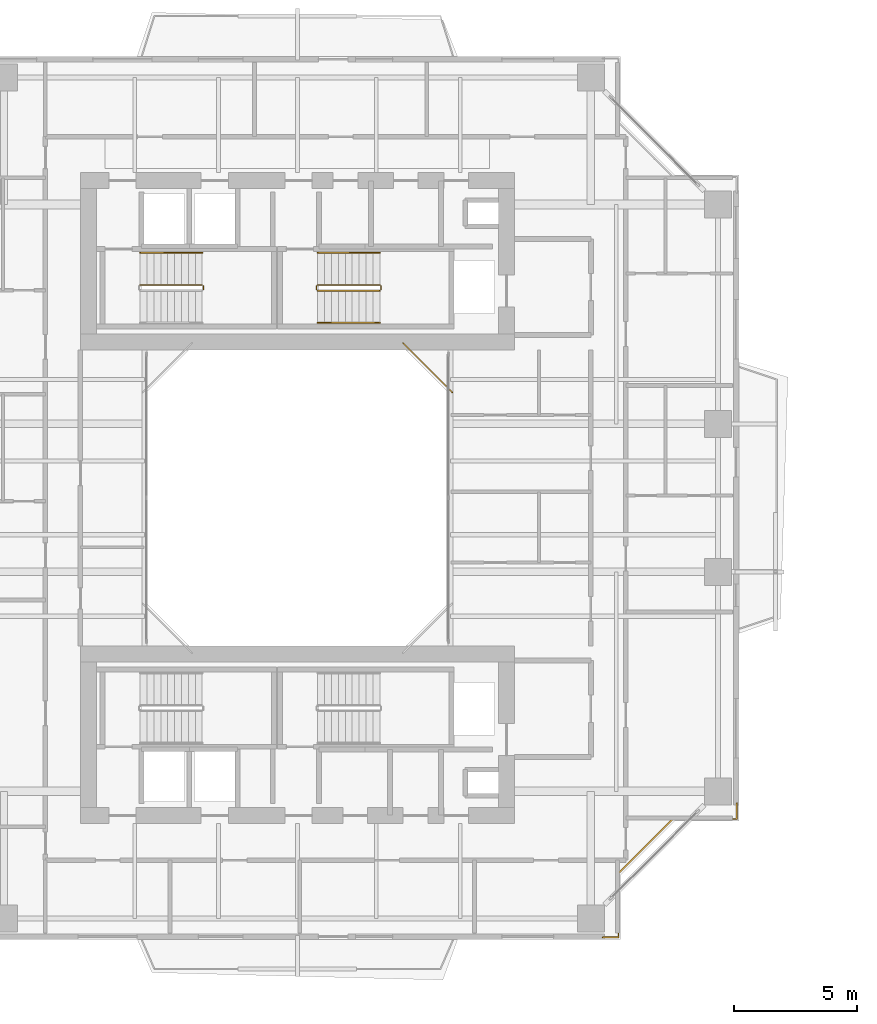
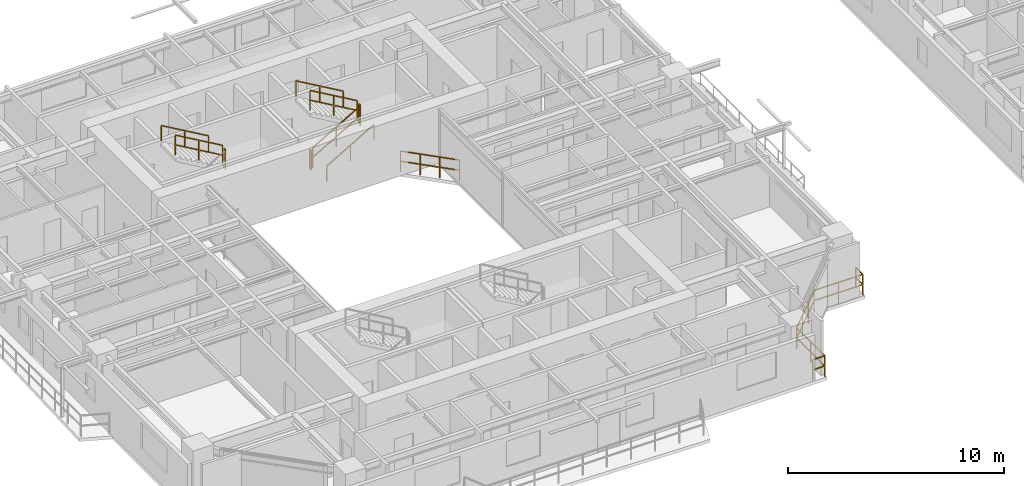
# One storey, part 22 of 24: 11 railings.
"""IFC4 building model written with IfcOpenShell, lengths in metres."""

from ifc_helpers import new_model, si_unit, direction, frame, origin, origin_2d, place, context, subcontext, project, spatial, rectangle, extrude, material, type_object, element, save


model = new_model("IFC4")

# Units and contexts
model_context = context("Model", 3, precision=1e-05, world=origin(), true_north=direction((0.0, 1.0)))
body_context = subcontext(model_context, "Body", "Model", "MODEL_VIEW")
ifc_project = project(units=[si_unit("LENGTHUNIT", "METRE"), si_unit("AREAUNIT", "SQUARE_METRE"), si_unit("VOLUMEUNIT", "CUBIC_METRE"), si_unit("PLANEANGLEUNIT", "RADIAN"), si_unit("MASSUNIT", "GRAM", prefix="KILO"), si_unit("THERMODYNAMICTEMPERATUREUNIT", "KELVIN"), si_unit("POWERUNIT", "WATT")], contexts=[model_context])

# Site, building, storey
site_placement = place(None, origin())
site = spatial("IfcSite", under=ifc_project, at=site_placement, CompositionType="ELEMENT")
building_placement = place(site_placement, origin())
building = spatial("IfcBuilding", under=site, at=building_placement, Name="Qiaomeng Ring Towers", CompositionType="ELEMENT")
storey_placement = place(building_placement, frame((0.0, 0.0, 110.0)))
storey = spatial("IfcBuildingStorey", under=building, at=storey_placement, Name="L31", CompositionType="ELEMENT", Elevation=110.0)

# Railings
ifc_material_1 = material(Name="Low-E pale-green laminated safety glass", Category="glass")
railing_type_1 = type_object("IfcRailingType", Name="ARC-RL-BAL1", PredefinedType="BALUSTRADE", material=ifc_material_1)
railing_1_placement = place(storey_placement, frame((25.280029296875, 27.280029296875, 0.0)))
element("IfcRailing", 1, at=railing_1_placement, inside=storey, type_object=railing_type_1, Name="L31 Balustrade ARC-BAL-WELL1-L31-2", PredefinedType="BALUSTRADE", context=body_context, shape_type="SweptSolid", body=[
    extrude(rectangle(XDim=0.048095703125, YDim=0.048095703125, at=origin_2d()), frame((0.0, 0.0, 1.17578125), z_axis=(-0.707106781187, 0.707106781187, 0.0), x_axis=(-0.707106781187, -0.707106781187, 0.0)), (0.0, 0.0, 1.0), 2.828369140625),
    extrude(rectangle(XDim=0.048095703125, YDim=0.048095703125, at=origin_2d()), frame((0.0, 0.0, 0.60009765625), z_axis=(-0.707106781187, 0.707106781187, 0.0), x_axis=(-0.707106781187, -0.707106781187, 0.0)), (0.0, 0.0, 1.0), 2.828369140625),
    extrude(rectangle(XDim=0.0419921875, YDim=0.0419921875, at=origin_2d()), origin(), (0.0, 0.0, 1.0), 1.15185546875),
    extrude(rectangle(XDim=0.0419921875, YDim=0.0419921875, at=origin_2d()), frame((-0.666748046875, 0.666748046875, 0.0)), (0.0, 0.0, 1.0), 1.15185546875),
    extrude(rectangle(XDim=0.0419921875, YDim=0.0419921875, at=origin_2d()), frame((-1.333251953125, 1.333251953125, 0.0)), (0.0, 0.0, 1.0), 1.15185546875),
    extrude(rectangle(XDim=0.0419921875, YDim=0.0419921875, at=origin_2d()), frame((-2.0, 2.0, 0.0)), (0.0, 0.0, 1.0), 1.15185546875),
])
railing_2_placement = place(storey_placement, frame((31.3701171875, 5.179931640625, 0.0)))
element("IfcRailing", 2, at=railing_2_placement, inside=storey, type_object=railing_type_1, Name="L31 Balustrade ARC-BAL-NOTCH1-L31-SE", PredefinedType="BALUSTRADE", context=body_context, shape_type="SweptSolid", body=[
    extrude(rectangle(XDim=0.048095703125, YDim=0.048095703125, at=origin_2d()), frame((0.0, 0.0, 1.17578125), z_axis=(1.0, 0.0, 0.0), x_axis=(0.0, 1.0, 0.0)), (0.0, 0.0, 1.0), 0.64990234375),
    extrude(rectangle(XDim=0.048095703125, YDim=0.048095703125, at=origin_2d()), frame((0.0, 0.0, 0.60009765625), z_axis=(1.0, 0.0, 0.0), x_axis=(0.0, 1.0, 0.0)), (0.0, 0.0, 1.0), 0.64990234375),
    extrude(rectangle(XDim=0.048095703125, YDim=0.048095703125, at=origin_2d()), frame((0.64990234375, 0.0, 1.17578125), z_axis=(0.0, 1.0, 0.0), x_axis=(-1.0, 0.0, 0.0)), (0.0, 0.0, 1.0), 2.60009765625),
    extrude(rectangle(XDim=0.048095703125, YDim=0.048095703125, at=origin_2d()), frame((0.64990234375, 0.0, 0.60009765625), z_axis=(0.0, 1.0, 0.0), x_axis=(-1.0, 0.0, 0.0)), (0.0, 0.0, 1.0), 2.60009765625),
    extrude(rectangle(XDim=0.048095703125, YDim=0.048095703125, at=origin_2d()), frame((0.64990234375, 2.60009765625, 1.17578125), z_axis=(0.707106781187, 0.707106781187, 0.0), x_axis=(-0.707106781187, 0.707106781187, 0.0)), (0.0, 0.0, 1.0), 3.111083984375),
    extrude(rectangle(XDim=0.048095703125, YDim=0.048095703125, at=origin_2d()), frame((0.64990234375, 2.60009765625, 0.60009765625), z_axis=(0.707106781187, 0.707106781187, 0.0), x_axis=(-0.707106781187, 0.707106781187, 0.0)), (0.0, 0.0, 1.0), 3.111083984375),
    extrude(rectangle(XDim=0.048095703125, YDim=0.048095703125, at=origin_2d()), frame((2.849853515625, 4.800048828125, 1.17578125), z_axis=(1.0, 0.0, 0.0), x_axis=(0.0, 1.0, 0.0)), (0.0, 0.0, 1.0), 2.60009765625),
    extrude(rectangle(XDim=0.048095703125, YDim=0.048095703125, at=origin_2d()), frame((2.849853515625, 4.800048828125, 0.60009765625), z_axis=(1.0, 0.0, 0.0), x_axis=(0.0, 1.0, 0.0)), (0.0, 0.0, 1.0), 2.60009765625),
    extrude(rectangle(XDim=0.048095703125, YDim=0.048095703125, at=origin_2d()), frame((5.449951171875, 4.800048828125, 1.17578125), z_axis=(0.0, 1.0, 0.0), x_axis=(-1.0, 0.0, 0.0)), (0.0, 0.0, 1.0), 0.64990234375),
    extrude(rectangle(XDim=0.048095703125, YDim=0.048095703125, at=origin_2d()), frame((5.449951171875, 4.800048828125, 0.60009765625), z_axis=(0.0, 1.0, 0.0), x_axis=(-1.0, 0.0, 0.0)), (0.0, 0.0, 1.0), 0.64990234375),
    extrude(rectangle(XDim=0.0419921875, YDim=0.0419921875, at=origin_2d()), origin(), (0.0, 0.0, 1.0), 1.15185546875),
    extrude(rectangle(XDim=0.0419921875, YDim=0.0419921875, at=origin_2d()), frame((0.64990234375, 0.0, 0.0)), (0.0, 0.0, 1.0), 1.15185546875),
    extrude(rectangle(XDim=0.0419921875, YDim=0.0419921875, at=origin_2d()), frame((0.64990234375, 1.300048828125, 0.0)), (0.0, 0.0, 1.0), 1.15185546875),
    extrude(rectangle(XDim=0.0419921875, YDim=0.0419921875, at=origin_2d()), frame((0.64990234375, 2.60009765625, 0.0)), (0.0, 0.0, 1.0), 1.15185546875),
    extrude(rectangle(XDim=0.0419921875, YDim=0.0419921875, at=origin_2d()), frame((1.38330078125, 3.33349609375, 0.0)), (0.0, 0.0, 1.0), 1.15185546875),
    extrude(rectangle(XDim=0.0419921875, YDim=0.0419921875, at=origin_2d()), frame((2.116455078125, 4.066650390625, 0.0)), (0.0, 0.0, 1.0), 1.15185546875),
    extrude(rectangle(XDim=0.0419921875, YDim=0.0419921875, at=origin_2d()), frame((2.849853515625, 4.800048828125, 0.0)), (0.0, 0.0, 1.0), 1.15185546875),
    extrude(rectangle(XDim=0.0419921875, YDim=0.0419921875, at=origin_2d()), frame((4.14990234375, 4.800048828125, 0.0)), (0.0, 0.0, 1.0), 1.15185546875),
    extrude(rectangle(XDim=0.0419921875, YDim=0.0419921875, at=origin_2d()), frame((5.449951171875, 4.800048828125, 0.0)), (0.0, 0.0, 1.0), 1.15185546875),
    extrude(rectangle(XDim=0.0419921875, YDim=0.0419921875, at=origin_2d()), frame((5.449951171875, 5.449951171875, 0.0)), (0.0, 0.0, 1.0), 1.15185546875),
])
ifc_material_2 = material(Name="Galvanised steel", Category="steel")
railing_type_2 = type_object("IfcRailingType", Name="ARC-RL-GUARD", PredefinedType="GUARDRAIL", material=ifc_material_2)
railing_3_placement = place(storey_placement, frame((15.18994140625, 31.449951171875, 1.625)))
element("IfcRailing", 3, at=railing_3_placement, inside=storey, type_object=railing_type_2, Name="L31 ST1 stair guard 2", PredefinedType="GUARDRAIL", context=body_context, shape_type="SweptSolid", body=[
    extrude(rectangle(XDim=0.048095703125, YDim=0.048095703125, at=origin_2d()), frame((0.0, 0.0, 1.1259765625), z_axis=(0.0, 1.0, 0.0), x_axis=(-1.0, 0.0, 0.0)), (0.0, 0.0, 1.0), 0.14013671875),
    extrude(rectangle(XDim=0.048095703125, YDim=0.048095703125, at=origin_2d()), frame((0.0, 0.0, 0.574951171875), z_axis=(0.0, 1.0, 0.0), x_axis=(-1.0, 0.0, 0.0)), (0.0, 0.0, 1.0), 0.14013671875),
    extrude(rectangle(XDim=0.0419921875, YDim=0.0419921875, at=origin_2d()), origin(), (0.0, 0.0, 1.0), 1.101806640625),
    extrude(rectangle(XDim=0.0419921875, YDim=0.0419921875, at=origin_2d()), frame((0.0, 0.14013671875, 0.0)), (0.0, 0.0, 1.0), 1.101806640625),
])
railing_4_placement = place(storey_placement, frame((15.139892578125, 31.639892578125, 1.78759765625)))
element("IfcRailing", 4, at=railing_4_placement, inside=storey, type_object=railing_type_2, Name="L31 ST1 stair guard 3", PredefinedType="GUARDRAIL", context=body_context, shape_type="SweptSolid", body=[
    extrude(rectangle(XDim=0.048095703125, YDim=0.048095703125, at=origin_2d()), frame((0.0, 0.0, 1.1259765625), z_axis=(-0.864892226395, 0.0, 0.501957604506), x_axis=(0.0, -1.0, 0.0)), (0.0, 0.0, 1.0), 2.913330078125),
    extrude(rectangle(XDim=0.048095703125, YDim=0.048095703125, at=origin_2d()), frame((0.0, 0.0, 0.574951171875), z_axis=(-0.864892226395, 0.0, 0.501957604506), x_axis=(0.0, -1.0, 0.0)), (0.0, 0.0, 1.0), 2.913330078125),
    extrude(rectangle(XDim=0.0419921875, YDim=0.0419921875, at=origin_2d()), origin(), (0.0, 0.0, 1.0), 1.101806640625),
    extrude(rectangle(XDim=0.0419921875, YDim=0.0419921875, at=origin_2d()), frame((-1.259765625, 0.0, 0.731201171875)), (0.0, 0.0, 1.0), 1.101806640625),
    extrude(rectangle(XDim=0.0419921875, YDim=0.0419921875, at=origin_2d()), frame((-2.519775390625, 0.0, 1.46240234375)), (0.0, 0.0, 1.0), 1.101806640625),
])
railing_5_placement = place(storey_placement, frame((19.820068359375, 31.39990234375, 0.16259765625)))
element("IfcRailing", 5, at=railing_5_placement, inside=storey, type_object=railing_type_2, Name="L31 ST2 stair guard 1", PredefinedType="GUARDRAIL", context=body_context, shape_type="SweptSolid", body=[
    extrude(rectangle(XDim=0.048095703125, YDim=0.048095703125, at=origin_2d()), frame((0.0, 0.0, 1.1259765625), z_axis=(0.864913338283, 0.0, 0.50192122615), x_axis=(0.0, 1.0, 0.0)), (0.0, 0.0, 1.0), 2.91357421875),
    extrude(rectangle(XDim=0.048095703125, YDim=0.048095703125, at=origin_2d()), frame((0.0, 0.0, 0.574951171875), z_axis=(0.864913338283, 0.0, 0.50192122615), x_axis=(0.0, 1.0, 0.0)), (0.0, 0.0, 1.0), 2.91357421875),
    extrude(rectangle(XDim=0.0419921875, YDim=0.0419921875, at=origin_2d()), origin(), (0.0, 0.0, 1.0), 1.101806640625),
    extrude(rectangle(XDim=0.0419921875, YDim=0.0419921875, at=origin_2d()), frame((1.260009765625, 0.0, 0.731201171875)), (0.0, 0.0, 1.0), 1.101806640625),
    extrude(rectangle(XDim=0.0419921875, YDim=0.0419921875, at=origin_2d()), frame((2.52001953125, 0.0, 1.46240234375)), (0.0, 0.0, 1.0), 1.101806640625),
])
railing_6_placement = place(storey_placement, frame((22.389892578125, 31.449951171875, 1.625)))
element("IfcRailing", 6, at=railing_6_placement, inside=storey, type_object=railing_type_2, Name="L31 ST2 stair guard 2", PredefinedType="GUARDRAIL", context=body_context, shape_type="SweptSolid", body=[
    extrude(rectangle(XDim=0.048095703125, YDim=0.048095703125, at=origin_2d()), frame((0.0, 0.0, 1.1259765625), z_axis=(0.0, 1.0, 0.0), x_axis=(-1.0, 0.0, 0.0)), (0.0, 0.0, 1.0), 0.14013671875),
    extrude(rectangle(XDim=0.048095703125, YDim=0.048095703125, at=origin_2d()), frame((0.0, 0.0, 0.574951171875), z_axis=(0.0, 1.0, 0.0), x_axis=(-1.0, 0.0, 0.0)), (0.0, 0.0, 1.0), 0.14013671875),
    extrude(rectangle(XDim=0.0419921875, YDim=0.0419921875, at=origin_2d()), origin(), (0.0, 0.0, 1.0), 1.101806640625),
    extrude(rectangle(XDim=0.0419921875, YDim=0.0419921875, at=origin_2d()), frame((0.0, 0.14013671875, 0.0)), (0.0, 0.0, 1.0), 1.101806640625),
])
railing_7_placement = place(storey_placement, frame((22.340087890625, 31.639892578125, 1.78759765625)))
element("IfcRailing", 7, at=railing_7_placement, inside=storey, type_object=railing_type_2, Name="L31 ST2 stair guard 3", PredefinedType="GUARDRAIL", context=body_context, shape_type="SweptSolid", body=[
    extrude(rectangle(XDim=0.048095703125, YDim=0.048095703125, at=origin_2d()), frame((0.0, 0.0, 1.1259765625), z_axis=(-0.864913338283, 0.0, 0.50192122615), x_axis=(0.0, -1.0, 0.0)), (0.0, 0.0, 1.0), 2.91357421875),
    extrude(rectangle(XDim=0.048095703125, YDim=0.048095703125, at=origin_2d()), frame((0.0, 0.0, 0.574951171875), z_axis=(-0.864913338283, 0.0, 0.50192122615), x_axis=(0.0, -1.0, 0.0)), (0.0, 0.0, 1.0), 2.91357421875),
    extrude(rectangle(XDim=0.0419921875, YDim=0.0419921875, at=origin_2d()), origin(), (0.0, 0.0, 1.0), 1.101806640625),
    extrude(rectangle(XDim=0.0419921875, YDim=0.0419921875, at=origin_2d()), frame((-1.260009765625, 0.0, 0.731201171875)), (0.0, 0.0, 1.0), 1.101806640625),
    extrude(rectangle(XDim=0.0419921875, YDim=0.0419921875, at=origin_2d()), frame((-2.52001953125, 0.0, 1.46240234375)), (0.0, 0.0, 1.0), 1.101806640625),
])
railing_8_placement = place(storey_placement, frame((19.77001953125, 31.449951171875, 0.0)))
element("IfcRailing", 8, at=railing_8_placement, inside=storey, type_object=railing_type_2, Name="L31 ST2 stair guard 4", PredefinedType="GUARDRAIL", context=body_context, shape_type="SweptSolid", body=[
    extrude(rectangle(XDim=0.048095703125, YDim=0.048095703125, at=origin_2d()), frame((0.0, 0.0, 1.1259765625), z_axis=(0.0, 1.0, 0.0), x_axis=(-1.0, 0.0, 0.0)), (0.0, 0.0, 1.0), 0.14013671875),
    extrude(rectangle(XDim=0.048095703125, YDim=0.048095703125, at=origin_2d()), frame((0.0, 0.0, 0.574951171875), z_axis=(0.0, 1.0, 0.0), x_axis=(-1.0, 0.0, 0.0)), (0.0, 0.0, 1.0), 0.14013671875),
    extrude(rectangle(XDim=0.0419921875, YDim=0.0419921875, at=origin_2d()), origin(), (0.0, 0.0, 1.0), 1.101806640625),
    extrude(rectangle(XDim=0.0419921875, YDim=0.0419921875, at=origin_2d()), frame((0.0, 0.14013671875, 0.0)), (0.0, 0.0, 1.0), 1.101806640625),
])
ifc_material_3 = material(Name="Stainless steel 316", Category="steel")
railing_type_3 = type_object("IfcRailingType", Name="ARC-RL-HAND", PredefinedType="HANDRAIL", material=ifc_material_3)
railing_9_placement = place(storey_placement, frame((15.139892578125, 32.93994140625, 1.78759765625)))
element("IfcRailing", 9, at=railing_9_placement, inside=storey, type_object=railing_type_3, Name="L31 ST1 stair handrail 2", PredefinedType="HANDRAIL", context=body_context, shape_type="SweptSolid", body=[
    extrude(rectangle(XDim=0.048095703125, YDim=0.048095703125, at=origin_2d()), frame((0.0, 0.0, 0.8759765625), z_axis=(-0.864892226395, 0.0, 0.501957604506), x_axis=(0.0, -1.0, 0.0)), (0.0, 0.0, 1.0), 2.913330078125),
    extrude(rectangle(XDim=0.0419921875, YDim=0.0419921875, at=origin_2d()), origin(), (0.0, 0.0, 1.0), 0.851806640625),
    extrude(rectangle(XDim=0.0419921875, YDim=0.0419921875, at=origin_2d()), frame((-1.259765625, 0.0, 0.731201171875)), (0.0, 0.0, 1.0), 0.851806640625),
    extrude(rectangle(XDim=0.0419921875, YDim=0.0419921875, at=origin_2d()), frame((-2.519775390625, 0.0, 1.46240234375)), (0.0, 0.0, 1.0), 0.851806640625),
])
railing_10_placement = place(storey_placement, frame((19.820068359375, 30.10009765625, 0.16259765625)))
element("IfcRailing", 10, at=railing_10_placement, inside=storey, type_object=railing_type_3, Name="L31 ST2 stair handrail 1", PredefinedType="HANDRAIL", context=body_context, shape_type="SweptSolid", body=[
    extrude(rectangle(XDim=0.048095703125, YDim=0.048095703125, at=origin_2d()), frame((0.0, 0.0, 0.8759765625), z_axis=(0.864913338283, 0.0, 0.50192122615), x_axis=(0.0, 1.0, 0.0)), (0.0, 0.0, 1.0), 2.91357421875),
    extrude(rectangle(XDim=0.0419921875, YDim=0.0419921875, at=origin_2d()), origin(), (0.0, 0.0, 1.0), 0.851806640625),
    extrude(rectangle(XDim=0.0419921875, YDim=0.0419921875, at=origin_2d()), frame((1.260009765625, 0.0, 0.731201171875)), (0.0, 0.0, 1.0), 0.851806640625),
    extrude(rectangle(XDim=0.0419921875, YDim=0.0419921875, at=origin_2d()), frame((2.52001953125, 0.0, 1.46240234375)), (0.0, 0.0, 1.0), 0.851806640625),
])
railing_11_placement = place(storey_placement, frame((22.340087890625, 32.93994140625, 1.78759765625)))
element("IfcRailing", 11, at=railing_11_placement, inside=storey, type_object=railing_type_3, Name="L31 ST2 stair handrail 2", PredefinedType="HANDRAIL", context=body_context, shape_type="SweptSolid", body=[
    extrude(rectangle(XDim=0.048095703125, YDim=0.048095703125, at=origin_2d()), frame((0.0, 0.0, 0.8759765625), z_axis=(-0.864913338283, 0.0, 0.50192122615), x_axis=(0.0, -1.0, 0.0)), (0.0, 0.0, 1.0), 2.91357421875),
    extrude(rectangle(XDim=0.0419921875, YDim=0.0419921875, at=origin_2d()), origin(), (0.0, 0.0, 1.0), 0.851806640625),
    extrude(rectangle(XDim=0.0419921875, YDim=0.0419921875, at=origin_2d()), frame((-1.260009765625, 0.0, 0.731201171875)), (0.0, 0.0, 1.0), 0.851806640625),
    extrude(rectangle(XDim=0.0419921875, YDim=0.0419921875, at=origin_2d()), frame((-2.52001953125, 0.0, 1.46240234375)), (0.0, 0.0, 1.0), 0.851806640625),
])

save(model, "model.ifc")
